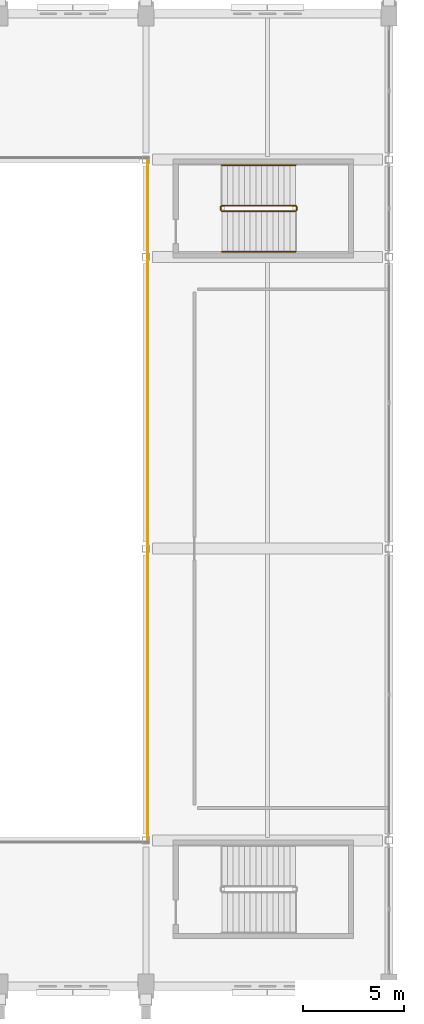
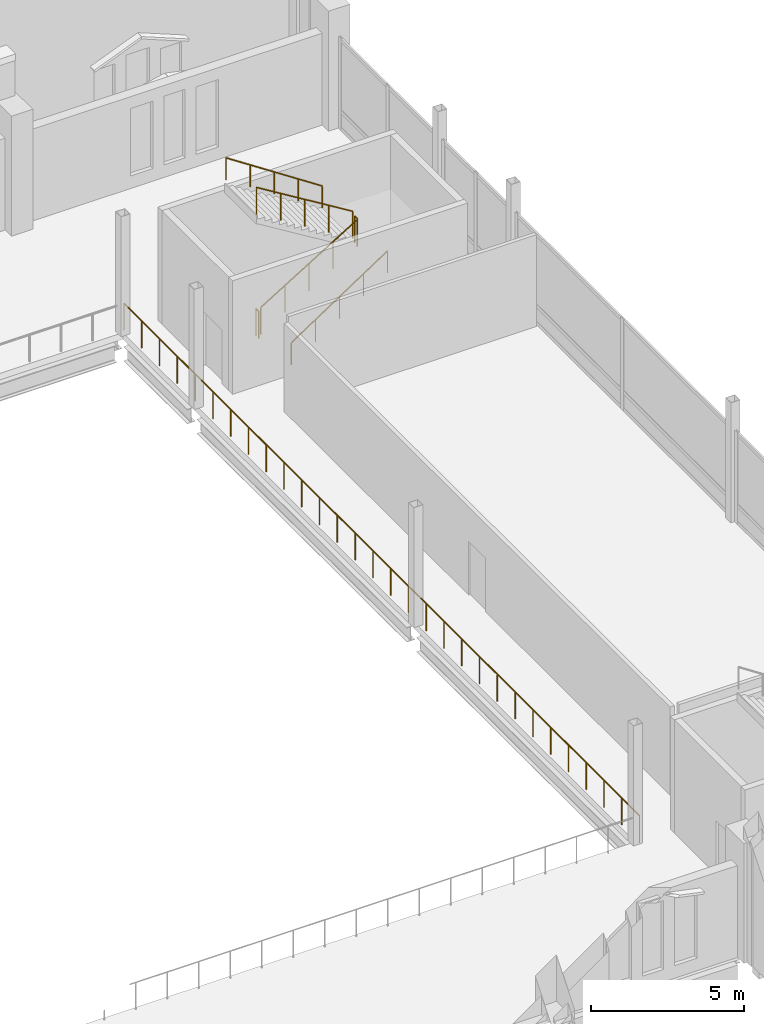
# One storey, part 190 of 193: 7 railings.
"""IFC4 building model written with IfcOpenShell, lengths in metres."""

from ifc_helpers import new_model, si_unit, direction, frame, origin, origin_2d, place, context, subcontext, project, spatial, circle, extrude, material, type_object, element, save


model = new_model("IFC4")

# Units and contexts
model_context = context("Model", 3, precision=1e-05, world=origin(), true_north=direction((0.0, 1.0)))
body_context = subcontext(model_context, "Body", "Model", "MODEL_VIEW")
ifc_project = project(units=[si_unit("LENGTHUNIT", "METRE"), si_unit("AREAUNIT", "SQUARE_METRE"), si_unit("VOLUMEUNIT", "CUBIC_METRE"), si_unit("PLANEANGLEUNIT", "RADIAN"), si_unit("MASSUNIT", "GRAM", prefix="KILO")], contexts=[model_context])

# Site, building, storey
site_placement = place(None, origin())
site = spatial("IfcSite", under=ifc_project, at=site_placement, CompositionType="ELEMENT")
building_placement = place(site_placement, origin())
building = spatial("IfcBuilding", under=site, at=building_placement, Name="Cendralis Lancet Convention Centre", CompositionType="ELEMENT")
storey_placement = place(building_placement, frame((0.0, 0.0, 10.199951171875)))
storey = spatial("IfcBuildingStorey", under=building, at=storey_placement, Name="L02", CompositionType="ELEMENT", Elevation=10.199951171875)

# Railings
ifc_material = material(Name="Steel S355", Category="steel")
railing_type_1 = type_object("IfcRailingType", Name="ARC-RL-CGD", PredefinedType="GUARDRAIL", material=ifc_material)
railing_1_placement = place(storey_placement, frame((200.550048828125, 81.449951171875, 0.17138671875)))
element("IfcRailing", 1, at=railing_1_placement, inside=storey, type_object=railing_type_1, Name="L02 ST-10 stair guard 1", PredefinedType="GUARDRAIL", context=body_context, shape_type="SweptSolid", body=[
    extrude(circle(Radius=0.02392578125, at=origin_2d()), frame((0.0, 0.0, 1.076171875), z_axis=(0.852824790078, 0.0, 0.522197163366), x_axis=(0.0, 1.0, 0.0)), (0.0, 0.0, 1.0), 4.26806640625),
    extrude(circle(Radius=0.02099609375, at=origin_2d()), origin(), (0.0, 0.0, 1.0), 1.052001953125),
    extrude(circle(Radius=0.02099609375, at=origin_2d()), frame((0.909912109375, 0.0, 0.55712890625)), (0.0, 0.0, 1.0), 1.052001953125),
    extrude(circle(Radius=0.02099609375, at=origin_2d()), frame((1.81982421875, 0.0, 1.1142578125)), (0.0, 0.0, 1.0), 1.052001953125),
    extrude(circle(Radius=0.02099609375, at=origin_2d()), frame((2.72998046875, 0.0, 1.671630859375)), (0.0, 0.0, 1.0), 1.052001953125),
    extrude(circle(Radius=0.02099609375, at=origin_2d()), frame((3.639892578125, 0.0, 2.228759765625)), (0.0, 0.0, 1.0), 1.052001953125),
])
railing_2_placement = place(storey_placement, frame((204.239990234375, 81.5, 2.400146484375)))
element("IfcRailing", 2, at=railing_2_placement, inside=storey, type_object=railing_type_1, Name="L02 ST-10 stair guard 2", PredefinedType="GUARDRAIL", context=body_context, shape_type="SweptSolid", body=[
    extrude(circle(Radius=0.02392578125, at=origin_2d()), frame((0.0, 0.0, 1.076171875), z_axis=(0.0, 1.0, 0.0), x_axis=(-1.0, 0.0, 0.0)), (0.0, 0.0, 1.0), 0.179931640625),
    extrude(circle(Radius=0.02099609375, at=origin_2d()), origin(), (0.0, 0.0, 1.0), 1.052001953125),
    extrude(circle(Radius=0.02099609375, at=origin_2d()), frame((0.0, 0.179931640625, 0.0)), (0.0, 0.0, 1.0), 1.052001953125),
])
railing_3_placement = place(storey_placement, frame((204.18994140625, 81.72998046875, 2.571533203125)))
element("IfcRailing", 3, at=railing_3_placement, inside=storey, type_object=railing_type_1, Name="L02 ST-10 stair guard 3", PredefinedType="GUARDRAIL", context=body_context, shape_type="SweptSolid", body=[
    extrude(circle(Radius=0.02392578125, at=origin_2d()), frame((0.0, 0.0, 1.076171875), z_axis=(-0.852850264322, 0.0, 0.5221555579), x_axis=(0.0, -1.0, 0.0)), (0.0, 0.0, 1.0), 4.267822265625),
    extrude(circle(Radius=0.02099609375, at=origin_2d()), origin(), (0.0, 0.0, 1.0), 1.052001953125),
    extrude(circle(Radius=0.02099609375, at=origin_2d()), frame((-0.909912109375, 0.0, 0.55712890625)), (0.0, 0.0, 1.0), 1.052001953125),
    extrude(circle(Radius=0.02099609375, at=origin_2d()), frame((-1.81982421875, 0.0, 1.1142578125)), (0.0, 0.0, 1.0), 1.052001953125),
    extrude(circle(Radius=0.02099609375, at=origin_2d()), frame((-2.72998046875, 0.0, 1.67138671875)), (0.0, 0.0, 1.0), 1.052001953125),
    extrude(circle(Radius=0.02099609375, at=origin_2d()), frame((-3.639892578125, 0.0, 2.228515625)), (0.0, 0.0, 1.0), 1.052001953125),
])
railing_4_placement = place(storey_placement, frame((200.5, 81.5, 0.0)))
element("IfcRailing", 4, at=railing_4_placement, inside=storey, type_object=railing_type_1, Name="L02 ST-10 stair guard 4", PredefinedType="GUARDRAIL", context=body_context, shape_type="SweptSolid", body=[
    extrude(circle(Radius=0.02392578125, at=origin_2d()), frame((0.0, 0.0, 1.076171875), z_axis=(0.0, 1.0, 0.0), x_axis=(-1.0, 0.0, 0.0)), (0.0, 0.0, 1.0), 0.179931640625),
    extrude(circle(Radius=0.02099609375, at=origin_2d()), origin(), (0.0, 0.0, 1.0), 1.052001953125),
    extrude(circle(Radius=0.02099609375, at=origin_2d()), frame((0.0, 0.179931640625, 0.0)), (0.0, 0.0, 1.0), 1.052001953125),
])
railing_type_2 = type_object("IfcRailingType", Name="ARC-RL-CHR", PredefinedType="HANDRAIL", material=ifc_material)
railing_5_placement = place(storey_placement, frame((200.550048828125, 79.449951171875, 0.17138671875)))
element("IfcRailing", 5, at=railing_5_placement, inside=storey, type_object=railing_type_2, Name="L02 ST-10 stair handrail 1", PredefinedType="HANDRAIL", context=body_context, shape_type="SweptSolid", body=[
    extrude(circle(Radius=0.02392578125, at=origin_2d()), frame((0.0, 0.0, 0.8759765625), z_axis=(0.834839479206, 0.0, 0.550493454965), x_axis=(0.0, 1.0, 0.0)), (0.0, 0.0, 1.0), 4.360107421875),
    extrude(circle(Radius=0.02099609375, at=origin_2d()), origin(), (0.0, 0.0, 1.0), 0.851806640625),
    extrude(circle(Radius=0.02099609375, at=origin_2d()), frame((0.909912109375, 0.0, 0.60009765625)), (0.0, 0.0, 1.0), 0.851806640625),
    extrude(circle(Radius=0.02099609375, at=origin_2d()), frame((1.81982421875, 0.0, 1.2001953125)), (0.0, 0.0, 1.0), 0.851806640625),
    extrude(circle(Radius=0.02099609375, at=origin_2d()), frame((2.72998046875, 0.0, 1.800048828125)), (0.0, 0.0, 1.0), 0.851806640625),
    extrude(circle(Radius=0.02099609375, at=origin_2d()), frame((3.639892578125, 0.0, 2.400146484375)), (0.0, 0.0, 1.0), 0.851806640625),
])
railing_6_placement = place(storey_placement, frame((204.18994140625, 83.72998046875, 2.571533203125)))
element("IfcRailing", 6, at=railing_6_placement, inside=storey, type_object=railing_type_2, Name="L02 ST-10 stair handrail 2", PredefinedType="HANDRAIL", context=body_context, shape_type="SweptSolid", body=[
    extrude(circle(Radius=0.02392578125, at=origin_2d()), frame((0.0, 0.0, 0.8759765625), z_axis=(-0.834865213223, 0.0, 0.550454426587), x_axis=(0.0, -1.0, 0.0)), (0.0, 0.0, 1.0), 4.35986328125),
    extrude(circle(Radius=0.02099609375, at=origin_2d()), origin(), (0.0, 0.0, 1.0), 0.851806640625),
    extrude(circle(Radius=0.02099609375, at=origin_2d()), frame((-0.909912109375, 0.0, 0.60009765625)), (0.0, 0.0, 1.0), 0.851806640625),
    extrude(circle(Radius=0.02099609375, at=origin_2d()), frame((-1.81982421875, 0.0, 1.199951171875)), (0.0, 0.0, 1.0), 0.851806640625),
    extrude(circle(Radius=0.02099609375, at=origin_2d()), frame((-2.72998046875, 0.0, 1.7998046875)), (0.0, 0.0, 1.0), 0.851806640625),
    extrude(circle(Radius=0.02099609375, at=origin_2d()), frame((-3.639892578125, 0.0, 2.39990234375)), (0.0, 0.0, 1.0), 0.851806640625),
])
railing_type_3 = type_object("IfcRailingType", Name="ARC-RL-IG01", PredefinedType="GUARDRAIL", material=ifc_material)
railing_7_placement = place(storey_placement, frame((196.89990234375, 50.300048828125, 0.0)))
element("IfcRailing", 7, at=railing_7_placement, inside=storey, type_object=railing_type_3, Name="L02 Atrium Void Guardrail GD-IN1 #010", PredefinedType="GUARDRAIL", context=body_context, shape_type="SweptSolid", body=[
    extrude(circle(Radius=0.02392578125, at=origin_2d()), frame((0.0, 0.0, 1.076171875), z_axis=(0.0, 1.0, 0.0), x_axis=(-1.0, 0.0, 0.0)), (0.0, 0.0, 1.0), 33.800048828125),
    extrude(circle(Radius=0.02099609375, at=origin_2d()), origin(), (0.0, 0.0, 1.0), 1.052001953125),
    extrude(circle(Radius=0.02099609375, at=origin_2d()), frame((0.0, 1.16552734375, 0.0)), (0.0, 0.0, 1.0), 1.052001953125),
    extrude(circle(Radius=0.02099609375, at=origin_2d()), frame((0.0, 2.3310546875, 0.0)), (0.0, 0.0, 1.0), 1.052001953125),
    extrude(circle(Radius=0.02099609375, at=origin_2d()), frame((0.0, 3.49658203125, 0.0)), (0.0, 0.0, 1.0), 1.052001953125),
    extrude(circle(Radius=0.02099609375, at=origin_2d()), frame((0.0, 4.662109375, 0.0)), (0.0, 0.0, 1.0), 1.052001953125),
    extrude(circle(Radius=0.02099609375, at=origin_2d()), frame((0.0, 5.82763671875, 0.0)), (0.0, 0.0, 1.0), 1.052001953125),
    extrude(circle(Radius=0.02099609375, at=origin_2d()), frame((0.0, 6.9931640625, 0.0)), (0.0, 0.0, 1.0), 1.052001953125),
    extrude(circle(Radius=0.02099609375, at=origin_2d()), frame((0.0, 8.15869140625, 0.0)), (0.0, 0.0, 1.0), 1.052001953125),
    extrude(circle(Radius=0.02099609375, at=origin_2d()), frame((0.0, 9.32421875, 0.0)), (0.0, 0.0, 1.0), 1.052001953125),
    extrude(circle(Radius=0.02099609375, at=origin_2d()), frame((0.0, 10.48974609375, 0.0)), (0.0, 0.0, 1.0), 1.052001953125),
    extrude(circle(Radius=0.02099609375, at=origin_2d()), frame((0.0, 11.6552734375, 0.0)), (0.0, 0.0, 1.0), 1.052001953125),
    extrude(circle(Radius=0.02099609375, at=origin_2d()), frame((0.0, 12.82080078125, 0.0)), (0.0, 0.0, 1.0), 1.052001953125),
    extrude(circle(Radius=0.02099609375, at=origin_2d()), frame((0.0, 13.986328125, 0.0)), (0.0, 0.0, 1.0), 1.052001953125),
    extrude(circle(Radius=0.02099609375, at=origin_2d()), frame((0.0, 15.15185546875, 0.0)), (0.0, 0.0, 1.0), 1.052001953125),
    extrude(circle(Radius=0.02099609375, at=origin_2d()), frame((0.0, 16.3173828125, 0.0)), (0.0, 0.0, 1.0), 1.052001953125),
    extrude(circle(Radius=0.02099609375, at=origin_2d()), frame((0.0, 17.482666015625, 0.0)), (0.0, 0.0, 1.0), 1.052001953125),
    extrude(circle(Radius=0.02099609375, at=origin_2d()), frame((0.0, 18.648193359375, 0.0)), (0.0, 0.0, 1.0), 1.052001953125),
    extrude(circle(Radius=0.02099609375, at=origin_2d()), frame((0.0, 19.813720703125, 0.0)), (0.0, 0.0, 1.0), 1.052001953125),
    extrude(circle(Radius=0.02099609375, at=origin_2d()), frame((0.0, 20.979248046875, 0.0)), (0.0, 0.0, 1.0), 1.052001953125),
    extrude(circle(Radius=0.02099609375, at=origin_2d()), frame((0.0, 22.144775390625, 0.0)), (0.0, 0.0, 1.0), 1.052001953125),
    extrude(circle(Radius=0.02099609375, at=origin_2d()), frame((0.0, 23.310302734375, 0.0)), (0.0, 0.0, 1.0), 1.052001953125),
    extrude(circle(Radius=0.02099609375, at=origin_2d()), frame((0.0, 24.475830078125, 0.0)), (0.0, 0.0, 1.0), 1.052001953125),
    extrude(circle(Radius=0.02099609375, at=origin_2d()), frame((0.0, 25.641357421875, 0.0)), (0.0, 0.0, 1.0), 1.052001953125),
    extrude(circle(Radius=0.02099609375, at=origin_2d()), frame((0.0, 26.806884765625, 0.0)), (0.0, 0.0, 1.0), 1.052001953125),
    extrude(circle(Radius=0.02099609375, at=origin_2d()), frame((0.0, 27.972412109375, 0.0)), (0.0, 0.0, 1.0), 1.052001953125),
    extrude(circle(Radius=0.02099609375, at=origin_2d()), frame((0.0, 29.137939453125, 0.0)), (0.0, 0.0, 1.0), 1.052001953125),
    extrude(circle(Radius=0.02099609375, at=origin_2d()), frame((0.0, 30.303466796875, 0.0)), (0.0, 0.0, 1.0), 1.052001953125),
    extrude(circle(Radius=0.02099609375, at=origin_2d()), frame((0.0, 31.468994140625, 0.0)), (0.0, 0.0, 1.0), 1.052001953125),
    extrude(circle(Radius=0.02099609375, at=origin_2d()), frame((0.0, 32.634521484375, 0.0)), (0.0, 0.0, 1.0), 1.052001953125),
    extrude(circle(Radius=0.02099609375, at=origin_2d()), frame((0.0, 33.800048828125, 0.0)), (0.0, 0.0, 1.0), 1.052001953125),
])

save(model, "model.ifc")
